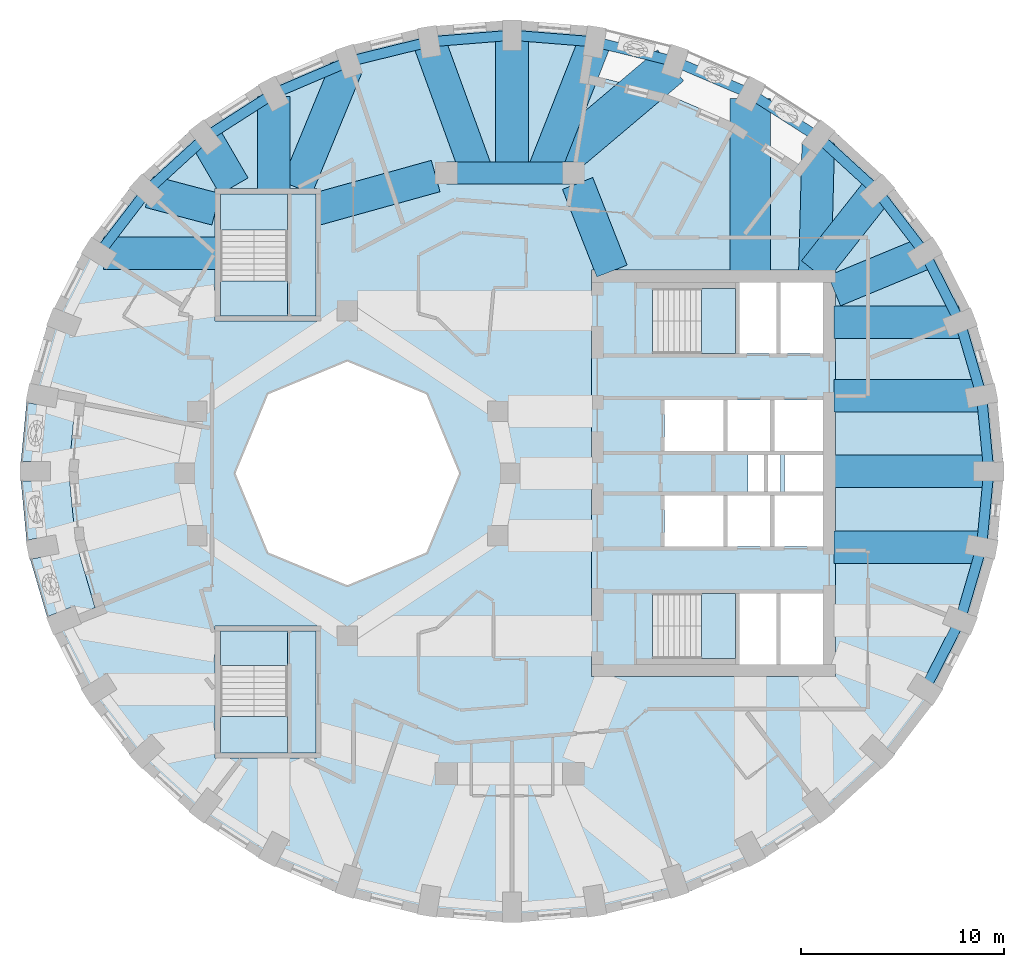
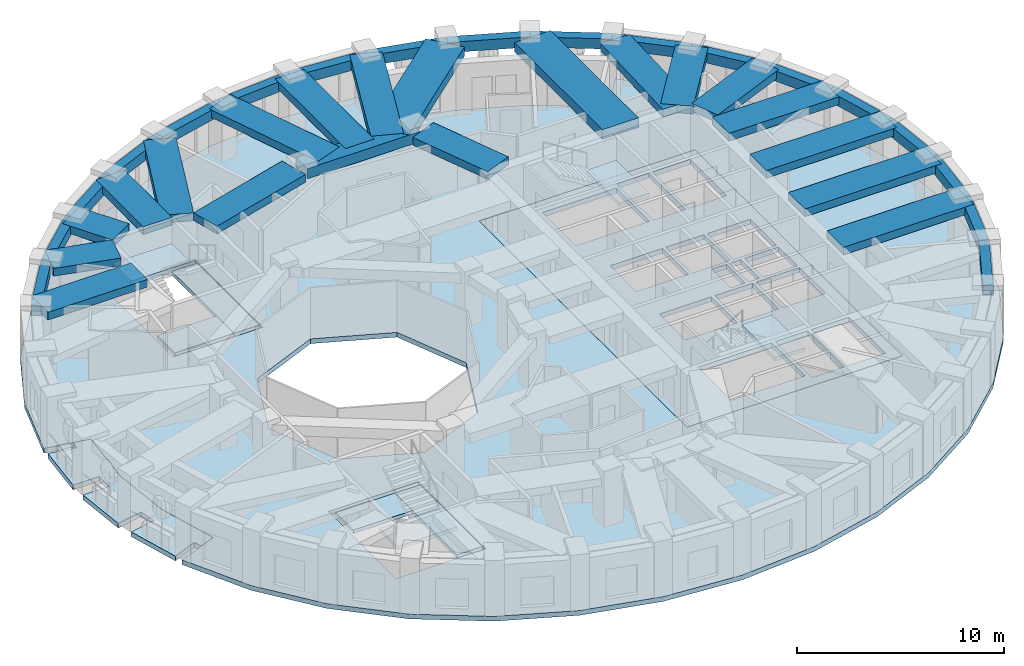
# One storey, part 2 of 12: 38 beams, 11 slabs, 4 elements without a shape of their own.
"""IFC4 building model written with IfcOpenShell, lengths in metres."""

from ifc_helpers import new_model, si_unit, direction, frame, origin, origin_2d, place, context, subcontext, project, spatial, polyline, rectangle, outline, extrude, material, layer, layer_set, material_profile, profile_set, type_object, element, aggregate, save


model = new_model("IFC4")

# Units and contexts
model_context = context("Model", 3, precision=1e-05, world=origin(), true_north=direction((0.0, 1.0)))
body_context = subcontext(model_context, "Body", "Model", "MODEL_VIEW")
ifc_project = project(units=[si_unit("LENGTHUNIT", "METRE"), si_unit("AREAUNIT", "SQUARE_METRE"), si_unit("VOLUMEUNIT", "CUBIC_METRE"), si_unit("PLANEANGLEUNIT", "RADIAN"), si_unit("MASSUNIT", "GRAM", prefix="KILO")], contexts=[model_context])

# Site, building, storey
site_placement = place(None, origin())
site = spatial("IfcSite", under=ifc_project, at=site_placement, CompositionType="ELEMENT")
building_placement = place(site_placement, origin())
building = spatial("IfcBuilding", under=site, at=building_placement, Name="Taillehof Tower", CompositionType="ELEMENT")
storey_placement = place(building_placement, frame((0.0, 0.0, 151.699951171875)))
storey = spatial("IfcBuildingStorey", under=building, at=storey_placement, Name="L42", CompositionType="ELEMENT", Elevation=151.699951171875)

# Beams
ifc_material_1 = material(Name="Concrete C50/60", Category="concrete")
ifc_material_profile_1 = material_profile(ifc_material_1, rectangle(XDim=1.10009765625, YDim=0.60009765625, at=origin_2d()), Name="RC 1100x600")
ifc_profile_set_1 = profile_set([ifc_material_profile_1], Name="Concrete C50/60")
beam_type_1 = type_object("IfcBeamType", Name="Mid-ring beam C50/60 1100x600", PredefinedType="BEAM", material=ifc_profile_set_1)
beam_1_placement = place(storey_placement, frame((3.125732421875, 14.772216796875, 2.719970703125), z_axis=(-1.0, 0.0, 0.0), x_axis=(0.0, -1.0, 0.0)))
element("IfcBeam", 1, at=beam_1_placement, inside=storey, type_object=beam_type_1, Name="Mid-ring beam MB01", PredefinedType="BEAM", context=body_context, shape_type="SweptSolid", body=[
    extrude(rectangle(XDim=1.10009765625, YDim=0.60009765625, at=origin_2d()), origin(), (0.0, 0.0, 1.0), 6.25146484375),
])
ifc_material_2 = material(Name="Concrete C50/60", Category="concrete")
ifc_material_profile_2 = material_profile(ifc_material_2, rectangle(XDim=1.60009765625, YDim=0.449951171875, at=origin_2d()), Name="RC 1600x450")
ifc_profile_set_2 = profile_set([ifc_material_profile_2], Name="Concrete C50/60")
beam_type_2 = type_object("IfcBeamType", Name="Radial band beam C50/60 1600x450", PredefinedType="BEAM", material=ifc_profile_set_2)
beam_2_placement = place(storey_placement, frame((23.550048828125, 0.10009765625, 2.795166015625), z_axis=(-1.0, 0.0, 0.0), x_axis=(0.0, -1.0, 0.0)))
element("IfcBeam", 2, at=beam_2_placement, inside=storey, type_object=beam_type_2, Name="Radial band beam RB01", PredefinedType="BEAM", context=body_context, shape_type="SweptSolid", body=[
    extrude(rectangle(XDim=1.60009765625, YDim=0.449951171875, at=origin_2d()), origin(), (0.0, 0.0, 1.0), 7.60009765625),
])
beam_3_placement = place(storey_placement, frame((23.19384765625, 3.82470703125, 2.795166015625), z_axis=(-1.0, 0.0, 0.0), x_axis=(0.0, -1.0, 0.0)))
element("IfcBeam", 3, at=beam_3_placement, inside=storey, type_object=beam_type_2, Name="Radial band beam RB02", PredefinedType="BEAM", context=body_context, shape_type="SweptSolid", body=[
    extrude(rectangle(XDim=1.60009765625, YDim=0.449951171875, at=origin_2d()), origin(), (0.0, 0.0, 1.0), 7.243896484375),
])
beam_4_placement = place(storey_placement, frame((22.08642578125, 7.436279296875, 2.795166015625), z_axis=(-1.0, 0.0, 0.0), x_axis=(0.0, -1.0, 0.0)))
element("IfcBeam", 4, at=beam_4_placement, inside=storey, type_object=beam_type_2, Name="Radial band beam RB03", PredefinedType="BEAM", context=body_context, shape_type="SweptSolid", body=[
    extrude(rectangle(XDim=1.60009765625, YDim=0.449951171875, at=origin_2d()), origin(), (0.0, 0.0, 1.0), 6.136474609375),
])
beam_5_placement = place(storey_placement, frame((20.408203125, 10.824951171875, 2.795166015625), z_axis=(-0.92395697655, -0.382496412381, 0.0), x_axis=(0.382496412381, -0.92395697655, 0.0)))
element("IfcBeam", 5, at=beam_5_placement, inside=storey, type_object=beam_type_2, Name="Radial band beam RB04", PredefinedType="BEAM", context=body_context, shape_type="SweptSolid", body=[
    extrude(rectangle(XDim=1.60009765625, YDim=0.449951171875, at=origin_2d()), origin(), (0.0, 0.0, 1.0), 4.821044921875),
])
beam_6_placement = place(storey_placement, frame((18.063720703125, 13.8876953125, 2.795166015625), z_axis=(-0.618961692467, -0.785421175713, 0.0), x_axis=(0.785421175713, -0.618961692467, 0.0)))
element("IfcBeam", 6, at=beam_6_placement, inside=storey, type_object=beam_type_2, Name="Radial band beam RB05", PredefinedType="BEAM", context=body_context, shape_type="SweptSolid", body=[
    extrude(rectangle(XDim=1.60009765625, YDim=0.449951171875, at=origin_2d()), origin(), (0.0, 0.0, 1.0), 4.999755859375),
])
beam_7_placement = place(storey_placement, frame((15.166259765625, 16.259765625, 2.795166015625), z_axis=(-0.026533506529, -0.999647924537, 0.0), x_axis=(0.999647924537, -0.026533506529, 0.0)))
element("IfcBeam", 7, at=beam_7_placement, inside=storey, type_object=beam_type_2, Name="Radial band beam RB06", PredefinedType="BEAM", context=body_context, shape_type="SweptSolid", body=[
    extrude(rectangle(XDim=1.60009765625, YDim=0.449951171875, at=origin_2d()), origin(), (0.0, 0.0, 1.0), 6.31201171875),
])
beam_8_placement = place(storey_placement, frame((4.172119140625, 21.22412109375, 2.795166015625), z_axis=(-0.36711444375, -0.930175781877, 0.0), x_axis=(0.930175781877, -0.36711444375, 0.0)))
element("IfcBeam", 8, at=beam_8_placement, inside=storey, type_object=beam_type_2, Name="Radial band beam RB09", PredefinedType="BEAM", context=body_context, shape_type="SweptSolid", body=[
    extrude(rectangle(XDim=1.60009765625, YDim=0.449951171875, at=origin_2d()), origin(), (0.0, 0.0, 1.0), 6.936279296875),
])
beam_9_placement = place(storey_placement, frame((0.10009765625, 21.550048828125, 2.795166015625), z_axis=(0.0, -1.0, 0.0), x_axis=(1.0, 0.0, 0.0)))
element("IfcBeam", 9, at=beam_9_placement, inside=storey, type_object=beam_type_2, Name="Radial band beam RB10", PredefinedType="BEAM", context=body_context, shape_type="SweptSolid", body=[
    extrude(rectangle(XDim=1.60009765625, YDim=0.449951171875, at=origin_2d()), origin(), (0.0, 0.0, 1.0), 6.77783203125),
])
beam_10_placement = place(storey_placement, frame((-3.97216796875, 21.22412109375, 2.795166015625), z_axis=(0.341780181607, -0.939779925015, 0.0), x_axis=(0.939779925015, 0.341780181607, 0.0)))
element("IfcBeam", 10, at=beam_10_placement, inside=storey, type_object=beam_type_2, Name="Radial band beam RB11", PredefinedType="BEAM", context=body_context, shape_type="SweptSolid", body=[
    extrude(rectangle(XDim=1.60009765625, YDim=0.449951171875, at=origin_2d()), origin(), (0.0, 0.0, 1.0), 6.865234375),
])
beam_11_placement = place(storey_placement, frame((-8.04443359375, 19.95556640625, 2.795166015625), z_axis=(-0.381176869418, -0.924502133162, 0.0), x_axis=(0.924502133162, -0.381176869418, 0.0)))
element("IfcBeam", 11, at=beam_11_placement, inside=storey, type_object=beam_type_2, Name="Radial band beam RB12", PredefinedType="BEAM", context=body_context, shape_type="SweptSolid", body=[
    extrude(rectangle(XDim=1.60009765625, YDim=0.449951171875, at=origin_2d()), origin(), (0.0, 0.0, 1.0), 6.382568359375),
])
beam_12_placement = place(storey_placement, frame((-11.625, 18.536376953125, 2.795166015625), z_axis=(0.0, -1.0, 0.0), x_axis=(1.0, 0.0, 0.0)))
element("IfcBeam", 12, at=beam_12_placement, inside=storey, type_object=beam_type_2, Name="Radial band beam RB13", PredefinedType="BEAM", context=body_context, shape_type="SweptSolid", body=[
    extrude(rectangle(XDim=1.60009765625, YDim=0.449951171875, at=origin_2d()), origin(), (0.0, 0.0, 1.0), 4.58642578125),
])
beam_13_placement = place(storey_placement, frame((-14.973388671875, 16.53173828125, 2.795166015625), z_axis=(0.502991419937, -0.864291404255, 0.0), x_axis=(0.864291404255, 0.502991419937, 0.0)))
element("IfcBeam", 13, at=beam_13_placement, inside=storey, type_object=beam_type_2, Name="Radial band beam RB14", PredefinedType="BEAM", context=body_context, shape_type="SweptSolid", body=[
    extrude(rectangle(XDim=1.60009765625, YDim=0.449951171875, at=origin_2d()), origin(), (0.0, 0.0, 1.0), 2.779296875),
])
beam_14_placement = place(storey_placement, frame((-17.72998046875, 13.8525390625, 2.795166015625), z_axis=(0.966882543987, -0.255221758736, 0.0), x_axis=(0.255221758736, 0.966882543987, 0.0)))
element("IfcBeam", 14, at=beam_14_placement, inside=storey, type_object=beam_type_2, Name="Radial band beam RB15", PredefinedType="BEAM", context=body_context, shape_type="SweptSolid", body=[
    extrude(rectangle(XDim=1.60009765625, YDim=0.449951171875, at=origin_2d()), origin(), (0.0, 0.0, 1.0), 3.381591796875),
])
beam_15_placement = place(storey_placement, frame((-19.9990234375, 10.824951171875, 2.795166015625), z_axis=(1.0, 0.0, 0.0), x_axis=(0.0, 1.0, 0.0)))
element("IfcBeam", 15, at=beam_15_placement, inside=storey, type_object=beam_type_2, Name="Radial band beam RB16", PredefinedType="BEAM", context=body_context, shape_type="SweptSolid", body=[
    extrude(rectangle(XDim=1.60009765625, YDim=0.449951171875, at=origin_2d()), origin(), (0.0, 0.0, 1.0), 5.549072265625),
])
beam_16_placement = place(storey_placement, frame((23.19384765625, -3.624755859375, 2.795166015625), z_axis=(-1.0, 0.0, 0.0), x_axis=(0.0, -1.0, 0.0)))
element("IfcBeam", 16, at=beam_16_placement, inside=storey, type_object=beam_type_2, Name="Radial band beam RB36", PredefinedType="BEAM", context=body_context, shape_type="SweptSolid", body=[
    extrude(rectangle(XDim=1.60009765625, YDim=0.449951171875, at=origin_2d()), origin(), (0.0, 0.0, 1.0), 7.243896484375),
])
beam_17_placement = place(storey_placement, frame((3.32666015625, 14.26025390625, 2.795166015625), z_axis=(0.365588707223, -0.930776502255, 0.0), x_axis=(0.930776502255, 0.365588707223, 0.0)))
element("IfcBeam", 17, at=beam_17_placement, inside=storey, type_object=beam_type_2, Name="Inner band beam IB205", PredefinedType="BEAM", context=body_context, shape_type="SweptSolid", body=[
    extrude(rectangle(XDim=1.60009765625, YDim=0.449951171875, at=origin_2d()), origin(), (0.0, 0.0, 1.0), 4.627197265625),
])
beam_18_placement = place(storey_placement, frame((-3.655517578125, 14.624755859375, 2.795166015625), z_axis=(-0.963459369536, -0.267854518821, 0.0), x_axis=(0.267854518821, -0.963459369536, 0.0)))
element("IfcBeam", 18, at=beam_18_placement, inside=storey, type_object=beam_type_2, Name="Inner band beam IB206", PredefinedType="BEAM", context=body_context, shape_type="SweptSolid", body=[
    extrude(rectangle(XDim=1.60009765625, YDim=0.449951171875, at=origin_2d()), origin(), (0.0, 0.0, 1.0), 6.096923828125),
])
ifc_material_3 = material(Name="Concrete C50/60", Category="concrete")
ifc_material_profile_3 = material_profile(ifc_material_3, rectangle(XDim=2.0, YDim=0.550048828125, at=origin_2d()), Name="RC 2000x550")
ifc_profile_set_3 = profile_set([ifc_material_profile_3], Name="Concrete C50/60")
beam_type_3 = type_object("IfcBeamType", Name="Radial band beam C50/60 2000x550", PredefinedType="BEAM", material=ifc_profile_set_3)
beam_19_placement = place(storey_placement, frame((11.824951171875, 18.430908203125, 2.7451171875), z_axis=(0.0, -1.0, 0.0), x_axis=(1.0, 0.0, 0.0)))
element("IfcBeam", 19, at=beam_19_placement, inside=storey, type_object=beam_type_3, Name="Radial band beam RB07", PredefinedType="BEAM", context=body_context, shape_type="SweptSolid", body=[
    extrude(rectangle(XDim=2.0, YDim=0.550048828125, at=origin_2d()), origin(), (0.0, 0.0, 1.0), 8.48095703125),
])
beam_20_placement = place(storey_placement, frame((7.900390625, 20.070556640625, 2.7451171875), z_axis=(-0.764038060196, -0.645171173079, 0.0), x_axis=(0.645171173079, -0.764038060196, 0.0)))
element("IfcBeam", 20, at=beam_20_placement, inside=storey, type_object=beam_type_3, Name="Radial band beam RB08", PredefinedType="BEAM", context=body_context, shape_type="SweptSolid", body=[
    extrude(rectangle(XDim=2.0, YDim=0.550048828125, at=origin_2d()), origin(), (0.0, 0.0, 1.0), 7.880859375),
])
ifc_material_4 = material(Name="Concrete C50/60", Category="concrete")
ifc_material_profile_4 = material_profile(ifc_material_4, rectangle(XDim=0.5, YDim=0.60009765625, at=origin_2d()), Name="RC 500x600")
ifc_profile_set_4 = profile_set([ifc_material_profile_4], Name="Concrete C50/60")
beam_type_4 = type_object("IfcBeamType", Name="Spandrel beam C50/60 500x600", PredefinedType="SPANDREL", material=ifc_profile_set_4)
beam_21_placement = place(storey_placement, frame((23.550048828125, 0.10009765625, 2.719970703125), z_axis=(-0.095200147056, 0.995458151808, 0.0), x_axis=(-0.995458151808, -0.095200147056, 0.0)))
element("IfcBeam", 21, at=beam_21_placement, inside=storey, type_object=beam_type_4, Name="Spandrel beam SB01", PredefinedType="SPANDREL", context=body_context, shape_type="SweptSolid", body=[
    extrude(rectangle(XDim=0.5, YDim=0.60009765625, at=origin_2d()), origin(), (0.0, 0.0, 1.0), 3.74169921875),
])
beam_22_placement = place(storey_placement, frame((23.19384765625, 3.82470703125, 2.719970703125), z_axis=(-0.281158162606, 0.959661444261, 0.0), x_axis=(-0.959661444261, -0.281158162606, 0.0)))
element("IfcBeam", 22, at=beam_22_placement, inside=storey, type_object=beam_type_4, Name="Spandrel beam SB02", PredefinedType="SPANDREL", context=body_context, shape_type="SweptSolid", body=[
    extrude(rectangle(XDim=0.5, YDim=0.60009765625, at=origin_2d()), origin(), (0.0, 0.0, 1.0), 3.763427734375),
])
beam_23_placement = place(storey_placement, frame((22.1357421875, 7.436279296875, 2.719970703125), z_axis=(-0.454183451696, 0.890908183937, 0.0), x_axis=(-0.890908183937, -0.454183451696, 0.0)))
element("IfcBeam", 23, at=beam_23_placement, inside=storey, type_object=beam_type_4, Name="Spandrel beam SB03", PredefinedType="SPANDREL", context=body_context, shape_type="SweptSolid", body=[
    extrude(rectangle(XDim=0.5, YDim=0.60009765625, at=origin_2d()), origin(), (0.0, 0.0, 1.0), 3.8037109375),
])
beam_24_placement = place(storey_placement, frame((20.408203125, 10.824951171875, 2.719970703125), z_axis=(-0.60784004271, 0.794059495553, 0.0), x_axis=(-0.794059495553, -0.60784004271, 0.0)))
element("IfcBeam", 24, at=beam_24_placement, inside=storey, type_object=beam_type_4, Name="Spandrel beam SB04", PredefinedType="SPANDREL", context=body_context, shape_type="SweptSolid", body=[
    extrude(rectangle(XDim=0.5, YDim=0.60009765625, at=origin_2d()), origin(), (0.0, 0.0, 1.0), 3.857177734375),
])
beam_25_placement = place(storey_placement, frame((18.063720703125, 13.8876953125, 2.719970703125), z_axis=(-0.737849657471, 0.674965097594, 0.0), x_axis=(-0.674965097594, -0.737849657471, 0.0)))
element("IfcBeam", 25, at=beam_25_placement, inside=storey, type_object=beam_type_4, Name="Spandrel beam SB05", PredefinedType="SPANDREL", context=body_context, shape_type="SweptSolid", body=[
    extrude(rectangle(XDim=0.5, YDim=0.60009765625, at=origin_2d()), origin(), (0.0, 0.0, 1.0), 3.917236328125),
])
beam_26_placement = place(storey_placement, frame((15.17333984375, 16.53173828125, 2.719970703125), z_axis=(-0.842092940799, 0.53933243835, 0.0), x_axis=(-0.53933243835, -0.842092940799, 0.0)))
element("IfcBeam", 26, at=beam_26_placement, inside=storey, type_object=beam_type_4, Name="Spandrel beam SB06", PredefinedType="SPANDREL", context=body_context, shape_type="SweptSolid", body=[
    extrude(rectangle(XDim=0.5, YDim=0.60009765625, at=origin_2d()), origin(), (0.0, 0.0, 1.0), 3.976318359375),
])
beam_27_placement = place(storey_placement, frame((11.824951171875, 18.67626953125, 2.719970703125), z_axis=(-0.919827173659, 0.392323808351, 0.0), x_axis=(-0.392323808351, -0.919827173659, 0.0)))
element("IfcBeam", 27, at=beam_27_placement, inside=storey, type_object=beam_type_4, Name="Spandrel beam SB07", PredefinedType="SPANDREL", context=body_context, shape_type="SweptSolid", body=[
    extrude(rectangle(XDim=0.5, YDim=0.60009765625, at=origin_2d()), origin(), (0.0, 0.0, 1.0), 4.027587890625),
])
beam_28_placement = place(storey_placement, frame((8.120361328125, 20.25634765625, 2.719970703125), z_axis=(-0.971248584585, 0.238067610023, 0.0), x_axis=(-0.238067610023, -0.971248584585, 0.0)))
element("IfcBeam", 28, at=beam_28_placement, inside=storey, type_object=beam_type_4, Name="Spandrel beam SB08", PredefinedType="SPANDREL", context=body_context, shape_type="SweptSolid", body=[
    extrude(rectangle(XDim=0.5, YDim=0.60009765625, at=origin_2d()), origin(), (0.0, 0.0, 1.0), 4.065185546875),
])
beam_29_placement = place(storey_placement, frame((4.172119140625, 21.22412109375, 2.719970703125), z_axis=(-0.996812047205, 0.079785603634, 0.0), x_axis=(-0.079785603634, -0.996812047205, 0.0)))
element("IfcBeam", 29, at=beam_29_placement, inside=storey, type_object=beam_type_4, Name="Spandrel beam SB09", PredefinedType="SPANDREL", context=body_context, shape_type="SweptSolid", body=[
    extrude(rectangle(XDim=0.5, YDim=0.60009765625, at=origin_2d()), origin(), (0.0, 0.0, 1.0), 4.0849609375),
])
beam_30_placement = place(storey_placement, frame((0.10009765625, 21.550048828125, 2.719970703125), z_axis=(-0.996812427616, -0.079780850771, 0.0), x_axis=(0.079780850771, -0.996812427616, 0.0)))
element("IfcBeam", 30, at=beam_30_placement, inside=storey, type_object=beam_type_4, Name="Spandrel beam SB10", PredefinedType="SPANDREL", context=body_context, shape_type="SweptSolid", body=[
    extrude(rectangle(XDim=0.5, YDim=0.60009765625, at=origin_2d()), origin(), (0.0, 0.0, 1.0), 4.085205078125),
])
beam_31_placement = place(storey_placement, frame((-3.97216796875, 21.22412109375, 2.719970703125), z_axis=(-0.971248584585, -0.238067610023, 0.0), x_axis=(0.238067610023, -0.971248584585, 0.0)))
element("IfcBeam", 31, at=beam_31_placement, inside=storey, type_object=beam_type_4, Name="Spandrel beam SB11", PredefinedType="SPANDREL", context=body_context, shape_type="SweptSolid", body=[
    extrude(rectangle(XDim=0.5, YDim=0.60009765625, at=origin_2d()), origin(), (0.0, 0.0, 1.0), 4.065185546875),
])
beam_32_placement = place(storey_placement, frame((-7.92041015625, 20.25634765625, 2.719970703125), z_axis=(-0.919827173659, -0.392323808351, 0.0), x_axis=(0.392323808351, -0.919827173659, 0.0)))
element("IfcBeam", 32, at=beam_32_placement, inside=storey, type_object=beam_type_4, Name="Spandrel beam SB12", PredefinedType="SPANDREL", context=body_context, shape_type="SweptSolid", body=[
    extrude(rectangle(XDim=0.5, YDim=0.60009765625, at=origin_2d()), origin(), (0.0, 0.0, 1.0), 4.027587890625),
])
beam_33_placement = place(storey_placement, frame((-11.625, 18.67626953125, 2.719970703125), z_axis=(-0.842092940799, -0.53933243835, 0.0), x_axis=(0.53933243835, -0.842092940799, 0.0)))
element("IfcBeam", 33, at=beam_33_placement, inside=storey, type_object=beam_type_4, Name="Spandrel beam SB13", PredefinedType="SPANDREL", context=body_context, shape_type="SweptSolid", body=[
    extrude(rectangle(XDim=0.5, YDim=0.60009765625, at=origin_2d()), origin(), (0.0, 0.0, 1.0), 3.976318359375),
])
beam_34_placement = place(storey_placement, frame((-14.973388671875, 16.53173828125, 2.719970703125), z_axis=(-0.737849657471, -0.674965097594, 0.0), x_axis=(0.674965097594, -0.737849657471, 0.0)))
element("IfcBeam", 34, at=beam_34_placement, inside=storey, type_object=beam_type_4, Name="Spandrel beam SB14", PredefinedType="SPANDREL", context=body_context, shape_type="SweptSolid", body=[
    extrude(rectangle(XDim=0.5, YDim=0.60009765625, at=origin_2d()), origin(), (0.0, 0.0, 1.0), 3.917236328125),
])
beam_35_placement = place(storey_placement, frame((-17.86376953125, 13.8876953125, 2.719970703125), z_axis=(-0.60784004271, -0.794059495553, 0.0), x_axis=(0.794059495553, -0.60784004271, 0.0)))
element("IfcBeam", 35, at=beam_35_placement, inside=storey, type_object=beam_type_4, Name="Spandrel beam SB15", PredefinedType="SPANDREL", context=body_context, shape_type="SweptSolid", body=[
    extrude(rectangle(XDim=0.5, YDim=0.60009765625, at=origin_2d()), origin(), (0.0, 0.0, 1.0), 3.857177734375),
])
beam_36_placement = place(storey_placement, frame((20.408203125, -10.625, 2.719970703125), z_axis=(0.454183451696, 0.890908183937, 0.0), x_axis=(-0.890908183937, 0.454183451696, 0.0)))
element("IfcBeam", 36, at=beam_36_placement, inside=storey, type_object=beam_type_4, Name="Spandrel beam SB34", PredefinedType="SPANDREL", context=body_context, shape_type="SweptSolid", body=[
    extrude(rectangle(XDim=0.5, YDim=0.60009765625, at=origin_2d()), origin(), (0.0, 0.0, 1.0), 3.8037109375),
])
beam_37_placement = place(storey_placement, frame((22.1357421875, -7.236328125, 2.719970703125), z_axis=(0.281158162606, 0.959661444261, 0.0), x_axis=(-0.959661444261, 0.281158162606, 0.0)))
element("IfcBeam", 37, at=beam_37_placement, inside=storey, type_object=beam_type_4, Name="Spandrel beam SB35", PredefinedType="SPANDREL", context=body_context, shape_type="SweptSolid", body=[
    extrude(rectangle(XDim=0.5, YDim=0.60009765625, at=origin_2d()), origin(), (0.0, 0.0, 1.0), 3.763427734375),
])
beam_38_placement = place(storey_placement, frame((23.19384765625, -3.624755859375, 2.719970703125), z_axis=(0.095193963834, 0.995458743118, 0.0), x_axis=(-0.995458743118, 0.095193963834, 0.0)))
element("IfcBeam", 38, at=beam_38_placement, inside=storey, type_object=beam_type_4, Name="Spandrel beam SB36", PredefinedType="SPANDREL", context=body_context, shape_type="SweptSolid", body=[
    extrude(rectangle(XDim=0.5, YDim=0.60009765625, at=origin_2d()), origin(), (0.0, 0.0, 1.0), 3.741943359375),
])

# Slabs
ifc_material_5 = material(Name="Concrete C40/50", Category="concrete")
ifc_layer_1 = layer(ifc_material_5, 0.280029296875)
ifc_layer_set_1 = layer_set([ifc_layer_1], Name="Balcony slab 280")
slab_type_1 = type_object("IfcSlabType", Name="Balcony slab 280", PredefinedType="USERDEFINED", material=ifc_layer_set_1)
slab_1_placement = place(storey_placement, frame((0.0, 0.0, -0.280029296875)))
element("IfcSlab", 39, at=slab_1_placement, inside=storey, type_object=slab_type_1, Name="Balcony L42 pocket 5", ObjectType="BALCONY", PredefinedType="USERDEFINED", context=body_context, shape_type="SweptSolid", body=[
    extrude(outline(polyline([(-20.40966796875, -6.607666015625), (-21.24658203125, -6.939697265625), (-21.413818359375, -6.518310546875), (-22.768310546875, -7.0556640625), (-23.59521484375, -4.22412109375), (-22.16748046875, -3.94970703125), (-22.346923828125, -3.016845703125), (-23.776611328125, -3.29150390625), (-24.0546875, -0.375), (-22.60009765625, -0.375), (-22.60009765625, 0.574951171875), (-24.0546875, 0.574951171875), (-23.776611328125, 3.491455078125), (-22.346923828125, 3.216796875), (-22.25927734375, 3.671875), (-21.37548828125, 3.501953125), (-21.699951171875, 0.10009765625), (-21.37548828125, -3.302001953125), (-20.40966796875, -6.607666015625)])), origin(), (0.0, 0.0, 1.0), 0.280029296875),
])
ifc_material_6 = material(Name="Concrete C40/50", Category="concrete")
ifc_layer_2 = layer(ifc_material_6, 0.280029296875)
ifc_layer_set_2 = layer_set([ifc_layer_2], Name="Core floor slab C40/50 280")
slab_type_2 = type_object("IfcSlabType", Name="Core floor slab C40/50 280", PredefinedType="FLOOR", material=ifc_layer_set_2)
slab_2_placement = place(storey_placement, frame((0.0, 0.0, -0.280029296875)))
element("IfcSlab", 40, at=slab_2_placement, inside=storey, type_object=slab_type_2, Name="Core floor L42", PredefinedType="FLOOR", context=body_context, shape_type="SweptSolid", body=[
    extrude(outline(polyline([(4.0, -10.0), (4.0, 10.0), (16.0, 10.0), (16.0, -10.0), (4.0, -10.0)]), holes=[polyline([(11.10009765625, -9.10009765625), (11.10009765625, -5.89990234375), (7.00048828125, -5.89990234375), (7.00048828125, -9.10009765625), (11.10009765625, -9.10009765625)]), polyline([(10.5, -3.60009765625), (10.5, -1.10009765625), (7.60009765625, -1.10009765625), (7.60009765625, -3.60009765625), (10.5, -3.60009765625)]), polyline([(12.800048828125, -3.60009765625), (12.800048828125, -1.10009765625), (10.699951171875, -1.10009765625), (10.699951171875, -3.60009765625), (12.800048828125, -3.60009765625)]), polyline([(12.5, -0.89990234375), (12.5, 0.89990234375), (11.699951171875, 0.89990234375), (11.699951171875, -0.89990234375), (12.5, -0.89990234375)]), polyline([(10.5, 1.10009765625), (10.5, 3.60009765625), (7.60009765625, 3.60009765625), (7.60009765625, 1.10009765625), (10.5, 1.10009765625)]), polyline([(12.800048828125, 1.10009765625), (12.800048828125, 3.60009765625), (10.699951171875, 3.60009765625), (10.699951171875, 1.10009765625), (12.800048828125, 1.10009765625)]), polyline([(11.10009765625, 5.89990234375), (11.10009765625, 9.10009765625), (7.00048828125, 9.10009765625), (7.00048828125, 5.89990234375), (11.10009765625, 5.89990234375)]), polyline([(13.10009765625, 5.89990234375), (13.10009765625, 9.39990234375), (11.300048828125, 9.39990234375), (11.300048828125, 5.89990234375), (13.10009765625, 5.89990234375)]), polyline([(13.10009765625, -9.39990234375), (13.10009765625, -5.89990234375), (11.300048828125, -5.89990234375), (11.300048828125, -9.39990234375), (13.10009765625, -9.39990234375)]), polyline([(15.39990234375, -9.39990234375), (15.39990234375, -5.89990234375), (13.300048828125, -5.89990234375), (13.300048828125, -9.39990234375), (15.39990234375, -9.39990234375)]), polyline([(15.39990234375, -3.60009765625), (15.39990234375, -1.10009765625), (13.0, -1.10009765625), (13.0, -3.60009765625), (15.39990234375, -3.60009765625)]), polyline([(13.300048828125, -0.89990234375), (13.300048828125, 0.89990234375), (12.699951171875, 0.89990234375), (12.699951171875, -0.89990234375), (13.300048828125, -0.89990234375)]), polyline([(15.39990234375, -0.89990234375), (15.39990234375, 0.89990234375), (13.5, 0.89990234375), (13.5, -0.89990234375), (15.39990234375, -0.89990234375)]), polyline([(15.39990234375, 1.10009765625), (15.39990234375, 3.60009765625), (13.0, 3.60009765625), (13.0, 1.10009765625), (15.39990234375, 1.10009765625)]), polyline([(15.39990234375, 5.89990234375), (15.39990234375, 9.39990234375), (13.300048828125, 9.39990234375), (13.300048828125, 5.89990234375), (15.39990234375, 5.89990234375)])]), origin(), (0.0, 0.0, 1.0), 0.280029296875),
])
ifc_material_7 = material(Name="Concrete C40/50", Category="concrete")
ifc_layer_3 = layer(ifc_material_7, 0.280029296875)
ifc_layer_set_3 = layer_set([ifc_layer_3], Name="Floor slab 280")
slab_type_3 = type_object("IfcSlabType", Name="Floor slab 280", PredefinedType="FLOOR", material=ifc_layer_set_3)
slab_3_placement = place(storey_placement, frame((0.0, 0.0, -0.280029296875)))
element("IfcSlab", 41, at=slab_3_placement, inside=storey, type_object=slab_type_3, Name="Floor slab L42", PredefinedType="FLOOR", context=body_context, shape_type="SweptSolid", body=[
    extrude(outline(polyline([(24.300048828125, 0.10009765625), (23.932373046875, 3.955078125), (22.840576171875, 7.69287109375), (21.057861328125, 11.199951171875), (18.63818359375, 14.369873046875), (15.655517578125, 17.106201171875), (14.19140625, 15.204345703125), (11.07666015625, 17.204833984375), (7.61669921875, 18.684814453125), (3.919189453125, 19.593505859375), (4.30224609375, 21.962646484375), (0.10009765625, 22.300048828125), (-4.102294921875, 21.962646484375), (-8.177001953125, 20.961181640625), (-12.0, 19.32568359375), (-15.45556640625, 17.106201171875), (-18.438232421875, 14.369873046875), (-20.85791015625, 11.199951171875), (-22.640625, 7.69287109375), (-23.732421875, 3.955078125), (-21.37548828125, 3.501953125), (-21.699951171875, 0.10009765625), (-21.37548828125, -3.302001953125), (-20.40966796875, -6.607666015625), (-22.640625, -7.492919921875), (-20.85791015625, -11.0), (-18.438232421875, -14.169921875), (-15.45556640625, -16.90625), (-12.0, -19.125732421875), (-8.177001953125, -20.76123046875), (-4.102294921875, -21.7626953125), (0.10009765625, -22.10009765625), (4.30224609375, -21.7626953125), (8.376953125, -20.76123046875), (12.199951171875, -19.125732421875), (15.655517578125, -16.90625), (18.63818359375, -14.169921875), (21.057861328125, -11.0), (22.840576171875, -7.492919921875), (23.932373046875, -3.7548828125), (24.300048828125, 0.10009765625)]), holes=[polyline([(-14.5, -7.5), (-9.5, -7.5), (-9.5, -14.0), (-14.5, -14.0), (-14.5, -7.5)]), polyline([(-8.0, -5.5), (-11.88916015625, -3.88916015625), (-13.5, 0.0), (-11.88916015625, 3.88916015625), (-8.0, 5.5), (-4.11083984375, 3.88916015625), (-2.5, 0.0), (-4.11083984375, -3.88916015625), (-8.0, -5.5)]), polyline([(16.0, 10.0), (16.0, -10.0), (4.0, -10.0), (4.0, 10.0), (16.0, 10.0)]), polyline([(-14.5, 14.0), (-9.5, 14.0), (-9.5, 7.5), (-14.5, 7.5), (-14.5, 14.0)])]), origin(), (0.0, 0.0, 1.0), 0.280029296875),
])

# Stair, slab
ifc_material_8 = material(Name="Concrete C40/50", Category="concrete")
stair_type = type_object("IfcStairType", Name="Exit stair half-turn", PredefinedType="HALF_TURN_STAIR", material=ifc_material_8)
stair_1_placement = place(storey_placement, origin())
stair_1 = element("IfcStair", 42, at=stair_1_placement, inside=storey, type_object=stair_type, Name="Exit stair S1", PredefinedType="HALF_TURN_STAIR")
ifc_material_9 = material(Name="Concrete C40/50", Category="concrete")
ifc_layer_4 = layer(ifc_material_9, 0.2099609375)
ifc_layer_set_4 = layer_set([ifc_layer_4], Name="Stair landing C40/50 210")
slab_type_4 = type_object("IfcSlabType", Name="Stair landing C40/50 210", PredefinedType="LANDING", material=ifc_layer_set_4)
slab_4_placement = place(storey_placement, frame((0.0, 0.0, 1.43994140625)))
slab_4 = element("IfcSlab", 43, at=slab_4_placement, type_object=slab_type_4, Name="S1 landing 1", PredefinedType="LANDING", context=body_context, shape_type="SweptSolid", body=[
    extrude(outline(polyline([(9.429931640625, 5.89990234375), (11.10009765625, 5.89990234375), (11.10009765625, 9.10009765625), (9.429931640625, 9.10009765625), (9.429931640625, 5.89990234375)])), origin(), (0.0, 0.0, 1.0), 0.210205078125),
])
aggregate(stair_1, [slab_4])

stair_2_placement = place(storey_placement, origin())
stair_2 = element("IfcStair", 44, at=stair_2_placement, inside=storey, type_object=stair_type, Name="Exit stair S2", PredefinedType="HALF_TURN_STAIR")
slab_5_placement = place(storey_placement, frame((0.0, 0.0, 1.43994140625)))
slab_5 = element("IfcSlab", 45, at=slab_5_placement, type_object=slab_type_4, Name="S2 landing 1", PredefinedType="LANDING", context=body_context, shape_type="SweptSolid", body=[
    extrude(outline(polyline([(9.429931640625, -5.89990234375), (11.10009765625, -5.89990234375), (11.10009765625, -9.10009765625), (9.429931640625, -9.10009765625), (9.429931640625, -5.89990234375)])), origin(), (0.0, 0.0, 1.0), 0.210205078125),
])
aggregate(stair_2, [slab_5])

stair_3_placement = place(storey_placement, origin())
stair_3 = element("IfcStair", 46, at=stair_3_placement, inside=storey, type_object=stair_type, Name="Exit stair S3", PredefinedType="HALF_TURN_STAIR")
slab_6_placement = place(storey_placement, frame((0.0, 0.0, 1.43994140625)))
slab_6 = element("IfcSlab", 47, at=slab_6_placement, type_object=slab_type_4, Name="S3 landing 1", PredefinedType="LANDING", context=body_context, shape_type="SweptSolid", body=[
    extrude(outline(polyline([(-14.25, 11.969970703125), (-14.25, 13.75), (-10.949951171875, 13.75), (-10.949951171875, 11.969970703125), (-14.25, 11.969970703125)])), origin(), (0.0, 0.0, 1.0), 0.210205078125),
])
aggregate(stair_3, [slab_6])

stair_4_placement = place(storey_placement, origin())
stair_4 = element("IfcStair", 48, at=stair_4_placement, inside=storey, type_object=stair_type, Name="Exit stair S4", PredefinedType="HALF_TURN_STAIR")
slab_7_placement = place(storey_placement, frame((0.0, 0.0, 1.43994140625)))
slab_7 = element("IfcSlab", 49, at=slab_7_placement, type_object=slab_type_4, Name="S4 landing 1", PredefinedType="LANDING", context=body_context, shape_type="SweptSolid", body=[
    extrude(outline(polyline([(-14.25, -11.969970703125), (-14.25, -13.75), (-10.949951171875, -13.75), (-10.949951171875, -11.969970703125), (-14.25, -11.969970703125)])), origin(), (0.0, 0.0, 1.0), 0.210205078125),
])
aggregate(stair_4, [slab_7])

# Slabs
slab_8_placement = place(storey_placement, frame((0.0, 0.0, -0.2099609375)))
element("IfcSlab", 50, at=slab_8_placement, inside=storey, type_object=slab_type_4, Name="Stair S3 floor landing", PredefinedType="LANDING", context=body_context, shape_type="SweptSolid", body=[
    extrude(outline(polyline([(-14.25, 7.75), (-14.25, 9.449951171875), (-10.949951171875, 9.449951171875), (-10.949951171875, 7.75), (-14.25, 7.75)])), origin(), (0.0, 0.0, 1.0), 0.2099609375),
])
slab_9_placement = place(storey_placement, frame((0.0, 0.0, -0.2099609375)))
element("IfcSlab", 51, at=slab_9_placement, inside=storey, type_object=slab_type_4, Name="Stair lobby S3 floor", PredefinedType="LANDING", context=body_context, shape_type="SweptSolid", body=[
    extrude(outline(polyline([(-10.949951171875, 7.75), (-9.550048828125, 7.75), (-9.550048828125, 13.75), (-10.949951171875, 13.75), (-10.949951171875, 7.75)])), origin(), (0.0, 0.0, 1.0), 0.2099609375),
])
slab_10_placement = place(storey_placement, frame((0.0, 0.0, -0.2099609375)))
element("IfcSlab", 52, at=slab_10_placement, inside=storey, type_object=slab_type_4, Name="Stair S4 floor landing", PredefinedType="LANDING", context=body_context, shape_type="SweptSolid", body=[
    extrude(outline(polyline([(-14.25, -7.75), (-14.25, -9.449951171875), (-10.949951171875, -9.449951171875), (-10.949951171875, -7.75), (-14.25, -7.75)])), origin(), (0.0, 0.0, 1.0), 0.2099609375),
])
slab_11_placement = place(storey_placement, frame((0.0, 0.0, -0.2099609375)))
element("IfcSlab", 53, at=slab_11_placement, inside=storey, type_object=slab_type_4, Name="Stair lobby S4 floor", PredefinedType="LANDING", context=body_context, shape_type="SweptSolid", body=[
    extrude(outline(polyline([(-10.949951171875, -13.75), (-9.550048828125, -13.75), (-9.550048828125, -7.75), (-10.949951171875, -7.75), (-10.949951171875, -13.75)])), origin(), (0.0, 0.0, 1.0), 0.2099609375),
])

save(model, "model.ifc")
